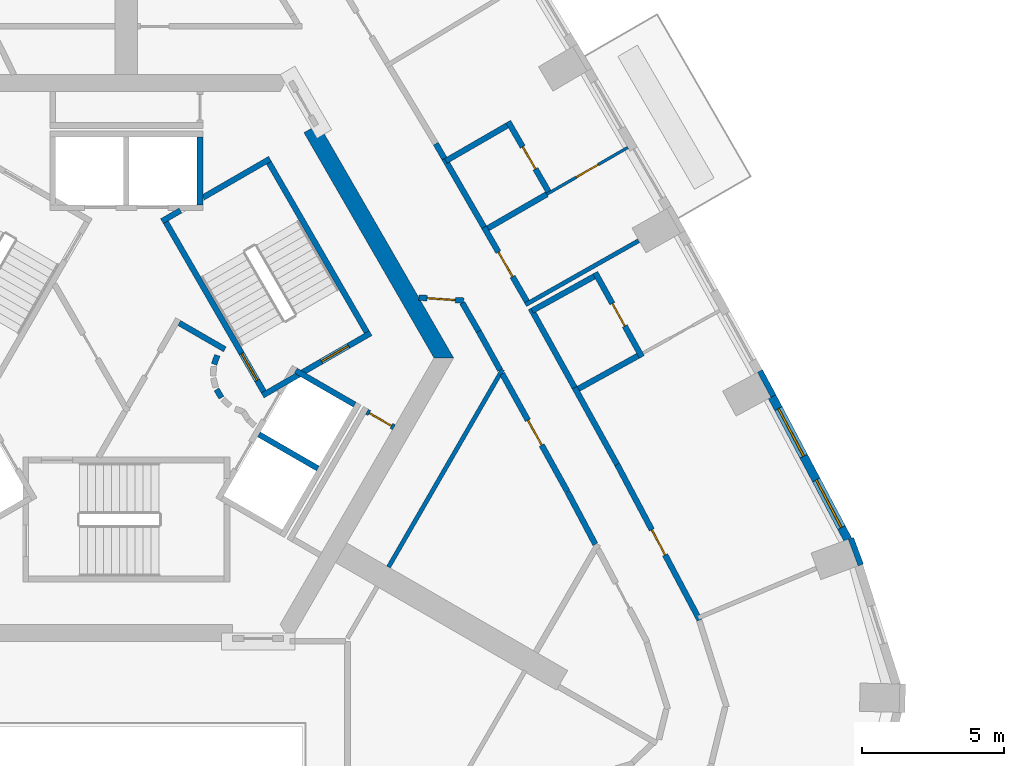
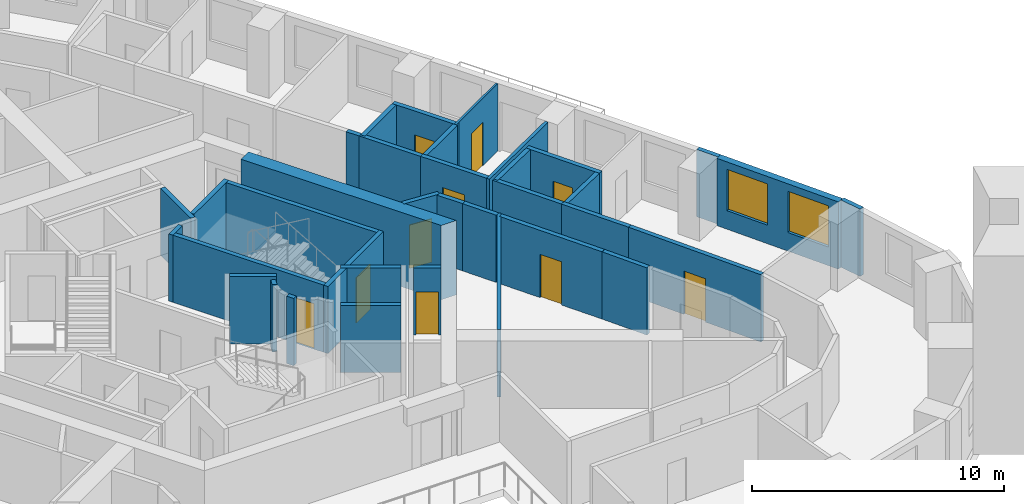
# One storey, part 7 of 13: 36 walls, 10 doors, 2 windows, 12 openings.
"""IFC4 building model written with IfcOpenShell, lengths in metres."""

from ifc_helpers import new_model, si_unit, direction, frame, frame_2d, origin, place, context, subcontext, project, spatial, polyline, rectangle, outline, extrude, material, layer, layer_set, type_object, element, fill, save


model = new_model("IFC4")

# Units and contexts
model_context = context("Model", 3, precision=1e-05, world=origin(), true_north=direction((0.0, 1.0)))
body_context = subcontext(model_context, "Body", "Model", "MODEL_VIEW")
ifc_project = project(units=[si_unit("LENGTHUNIT", "METRE"), si_unit("AREAUNIT", "SQUARE_METRE"), si_unit("VOLUMEUNIT", "CUBIC_METRE"), si_unit("PLANEANGLEUNIT", "RADIAN"), si_unit("MASSUNIT", "GRAM", prefix="KILO")], contexts=[model_context])

# Site, building, storey
site_placement = place(None, origin())
site = spatial("IfcSite", under=ifc_project, at=site_placement, CompositionType="ELEMENT")
building_placement = place(site_placement, origin())
building = spatial("IfcBuilding", under=site, at=building_placement, Name="Entoto Arch Interchange Tower", CompositionType="ELEMENT")
storey_placement = place(building_placement, frame((0.0, 0.0, 263.0)))
storey = spatial("IfcBuildingStorey", under=building, at=storey_placement, Name="L60", CompositionType="ELEMENT", Elevation=263.0)

# Walls
ifc_material_1 = material(Name="Concrete C40/50", Category="concrete")
ifc_layer_1 = layer(ifc_material_1, 0.60009765625)
ifc_layer_set_1 = layer_set([ifc_layer_1], Name="Concrete C40/50")
wall_type_1 = type_object("IfcWallType", Name="Core wall 600 C40/50", PredefinedType="SHEAR", material=ifc_layer_set_1)
wall_1_placement = place(storey_placement, frame((0.0, 0.0, -0.340087890625)))
element("IfcWall", 1, at=wall_1_placement, inside=storey, type_object=wall_type_1, Name="Core wall NE L60", PredefinedType="SHEAR", context=body_context, shape_type="SweptSolid", body=[
    extrude(outline(polyline([(6.785888671875, 10.7470703125), (6.26611328125, 10.447021484375), (10.85400390625, 2.5), (11.547119140625, 2.5), (6.785888671875, 10.7470703125)])), origin(), (0.0, 0.0, 1.0), 3.60009765625),
])
ifc_layer_2 = layer(ifc_material_1, 0.199951171875)
ifc_layer_set_2 = layer_set([ifc_layer_2], Name="Concrete C40/50")
wall_type_2 = type_object("IfcWallType", Name="LIFT SHAFT WALL 200", PredefinedType="STANDARD", material=ifc_layer_set_2)
wall_2_placement = place(storey_placement, frame((2.60009765625, 7.89990234375, 0.0), z_axis=(0.0, 0.0, 1.0), x_axis=(0.0, 1.0, 0.0)))
element("IfcWall", 2, at=wall_2_placement, inside=storey, type_object=wall_type_2, Name="Shaft wall N1 cross 1", PredefinedType="STANDARD", context=body_context, shape_type="SweptSolid", body=[
    extrude(rectangle(XDim=2.400146484375, YDim=0.199951171875, at=frame_2d((1.2001953125, 0.0))), origin(), (0.0, 0.0, 1.0), 3.260009765625),
])
for number, where, z_axis, x_axis, name in (
    (3, (4.677001953125, -0.199951171875, 0.0), (0.0, 0.0, 1.0), (0.865973769406, -0.500089422704, 0.0), "Shaft wall SE1 cross 2"),
    (4, (5.97705078125, 2.052001953125, 0.0), (0.0, 0.0, 1.0), (0.865973769406, -0.500089422704, 0.0), "Shaft wall SE1 cross 3"),
):
    element("IfcWall", number, at=place(storey_placement, frame(where, z_axis=z_axis, x_axis=x_axis)), inside=storey, type_object=wall_type_2, Name=name, PredefinedType="STANDARD", context=body_context, shape_type="SweptSolid", body=[
        extrude(rectangle(XDim=2.3994140625, YDim=0.199951171875, at=frame_2d((1.19970703125, 0.0))), origin(), (0.0, 0.0, 1.0), 3.260009765625),
    ])

# Wall, opening, door
ifc_material_2 = material(Name="Gypsum board partition on steel studs", Category="steel")
ifc_layer_3 = layer(ifc_material_2, 0.10009765625)
ifc_layer_set_3 = layer_set([ifc_layer_3], Name="Gypsum board partition on steel studs")
wall_type_3 = type_object("IfcWallType", Name="PARTITION 100", PredefinedType="PARTITIONING", material=ifc_layer_set_3)
wall_3_placement = place(storey_placement, frame((14.8349609375, 8.27490234375, 0.0), z_axis=(0.0, 0.0, 1.0), x_axis=(0.8660266723, 0.49999780286, 0.0)))
wall_3 = element("IfcWall", 5, at=wall_3_placement, inside=storey, type_object=wall_type_3, Name="wall:L60:p118", PredefinedType="PARTITIONING", context=body_context, shape_type="SweptSolid", body=[
    extrude(rectangle(XDim=3.30029296875, YDim=0.10009765625, at=frame_2d((1.650146484375, 0.0))), origin(), (0.0, 0.0, 1.0), 3.260009765625),
])
opening_1_placement = place(wall_3_placement, frame((1.199951171875, 0.0, 0.0)))
opening_1 = element("IfcOpeningElement", 6, at=opening_1_placement, cuts=wall_3, Name="Opening L60-D05", PredefinedType="OPENING", context=body_context, shape_type="SweptSolid", body=[
    extrude(rectangle(XDim=0.89990234375, YDim=2.10009765625, at=frame_2d((0.449951171875, 1.050048828125))), frame((0.0, 0.06005859375, 0.0), z_axis=(0.0, -1.0, 0.0), x_axis=(1.0, 0.0, 0.0)), (0.0, 0.0, 1.0), 0.1201171875),
])
ifc_material_3 = material(Name="Timber door leaf in Steel S235 frame", Category="steel")
door_type_1 = type_object("IfcDoorType", Name="DOOR DS-09 900x2100", OperationType="SINGLE_SWING_LEFT", PredefinedType="DOOR", material=ifc_material_3)
door_1_placement = place(opening_1_placement, origin())
door_1 = element("IfcDoor", 7, at=door_1_placement, inside=storey, type_object=door_type_1, Name="door:L60:05", OperationType="SINGLE_SWING_RIGHT", OverallHeight=2.10009765625, OverallWidth=0.89990234375, PredefinedType="DOOR", context=body_context, shape_type="SweptSolid", body=[
    extrude(rectangle(XDim=0.89990234375, YDim=2.10009765625, at=frame_2d((0.449951171875, 1.050048828125))), frame((0.0, 0.02490234375, 0.0), z_axis=(0.0, -1.0, 0.0), x_axis=(1.0, 0.0, 0.0)), (0.0, 0.0, 1.0), 0.050048828125),
])
fill(opening_1, door_1)

# Walls
ifc_layer_4 = layer(ifc_material_2, 0.14990234375)
ifc_layer_set_4 = layer_set([ifc_layer_4], Name="Gypsum board partition on steel studs")
wall_type_4 = type_object("IfcWallType", Name="PARTITION 150", PredefinedType="PARTITIONING", material=ifc_layer_set_4)
wall_4_placement = place(storey_placement, frame((14.0830078125, 4.376953125, 0.0), z_axis=(0.0, 0.0, 1.0), x_axis=(0.870415885751, 0.492317159799, 0.0)))
element("IfcWall", 8, at=wall_4_placement, inside=storey, type_object=wall_type_4, Name="wall:L60:p117", PredefinedType="PARTITIONING", context=body_context, shape_type="SweptSolid", body=[
    extrude(rectangle(XDim=4.58056640625, YDim=0.14990234375, at=frame_2d((2.290283203125, 0.0))), origin(), (0.0, 0.0, 1.0), 3.260009765625),
])
wall_5_placement = place(storey_placement, frame((9.25, -4.8779296875, 0.0), z_axis=(0.0, 0.0, 1.0), x_axis=(0.499982416899, 0.866035555154, 0.0)))
element("IfcWall", 9, at=wall_5_placement, inside=storey, type_object=wall_type_4, Name="wall:L60:p085", PredefinedType="PARTITIONING", context=body_context, shape_type="SweptSolid", body=[
    extrude(rectangle(XDim=8.048095703125, YDim=0.14990234375, at=frame_2d((4.02392578125, 0.0))), origin(), (0.0, 0.0, 1.0), 3.260009765625),
])
ifc_layer_5 = layer(ifc_material_2, 0.199951171875)
ifc_layer_set_5 = layer_set([ifc_layer_5], Name="Gypsum board partition on steel studs")
wall_type_5 = type_object("IfcWallType", Name="PARTITION 200", PredefinedType="PARTITIONING", material=ifc_layer_set_5)
wall_6_placement = place(storey_placement, frame((13.18798828125, 2.071044921875, 0.0), z_axis=(0.0, 0.0, 1.0), x_axis=(-0.484398936474, 0.874847226859, 0.0)))
element("IfcWall", 10, at=wall_6_placement, inside=storey, type_object=wall_type_5, Name="wall:L60:p006", PredefinedType="PARTITIONING", context=body_context, shape_type="SweptSolid", body=[
    extrude(rectangle(XDim=1.56689453125, YDim=0.199951171875, at=frame_2d((0.783447265625, 0.0))), origin(), (0.0, 0.0, 1.0), 3.260009765625),
])
wall_7_placement = place(storey_placement, frame((12.428955078125, 3.44189453125, 0.0), z_axis=(0.0, 0.0, 1.0), x_axis=(-0.500076612374, 0.865981167091, 0.0)))
element("IfcWall", 11, at=wall_7_placement, inside=storey, type_object=wall_type_5, Name="wall:L60:p007", PredefinedType="PARTITIONING", context=body_context, shape_type="SweptSolid", body=[
    extrude(rectangle(XDim=1.153564453125, YDim=0.199951171875, at=frame_2d((0.57666015625, 0.0))), origin(), (0.0, 0.0, 1.0), 3.260009765625),
])

# Wall, opening, door
wall_8_placement = place(storey_placement, frame((11.902099609375, 4.52099609375, 0.0), z_axis=(0.0, 0.0, 1.0), x_axis=(-0.997726217037, 0.067397298437, 0.0)))
wall_8 = element("IfcWall", 12, at=wall_8_placement, inside=storey, type_object=wall_type_5, Name="wall:L60:p008", PredefinedType="PARTITIONING", context=body_context, shape_type="SweptSolid", body=[
    extrude(rectangle(XDim=1.586669921875, YDim=0.199951171875, at=frame_2d((0.79345703125, 0.0))), origin(), (0.0, 0.0, 1.0), 3.260009765625),
])
opening_2_placement = place(wall_8_placement, frame((0.29296875, 0.0, 0.0)))
opening_2 = element("IfcOpeningElement", 13, at=opening_2_placement, cuts=wall_8, Name="Opening L60-D34", PredefinedType="OPENING", context=body_context, shape_type="SweptSolid", body=[
    extrude(rectangle(XDim=1.0, YDim=2.10009765625, at=frame_2d((0.5, 1.050048828125))), frame((0.0, 0.10986328125, 0.0), z_axis=(0.0, -1.0, 0.0), x_axis=(1.0, 0.0, 0.0)), (0.0, 0.0, 1.0), 0.219970703125),
])
door_type_2 = type_object("IfcDoorType", Name="DOOR DS-10 1000x2100", OperationType="SINGLE_SWING_LEFT", PredefinedType="DOOR", material=ifc_material_3)
door_2_placement = place(opening_2_placement, origin())
door_2 = element("IfcDoor", 14, at=door_2_placement, inside=storey, type_object=door_type_2, Name="door:L60:34", OperationType="SINGLE_SWING_LEFT", OverallHeight=2.10009765625, OverallWidth=1.0, PredefinedType="DOOR", context=body_context, shape_type="SweptSolid", body=[
    extrude(rectangle(XDim=1.0, YDim=2.10009765625, at=frame_2d((0.5, 1.050048828125))), frame((0.0, 0.02490234375, 0.0), z_axis=(0.0, -1.0, 0.0), x_axis=(1.0, 0.0, 0.0)), (0.0, 0.0, 1.0), 0.050048828125),
])
fill(opening_2, door_2)

# Wall
wall_9_placement = place(storey_placement, frame((16.544921875, -4.073974609375, 0.0), z_axis=(0.0, 0.0, 1.0), x_axis=(-0.468321873419, 0.883557934081, 0.0)))
element("IfcWall", 15, at=wall_9_placement, inside=storey, type_object=wall_type_5, Name="wall:L60:p021", PredefinedType="PARTITIONING", context=body_context, shape_type="SweptSolid", body=[
    extrude(rectangle(XDim=2.092529296875, YDim=0.199951171875, at=frame_2d((1.04638671875, 0.0))), origin(), (0.0, 0.0, 1.0), 3.260009765625),
])

# Wall, opening, door
wall_10_placement = place(storey_placement, frame((15.56005859375, -2.214111328125, 0.0), z_axis=(0.0, 0.0, 1.0), x_axis=(-0.484323615817, 0.874888927329, 0.0)))
wall_10 = element("IfcWall", 16, at=wall_10_placement, inside=storey, type_object=wall_type_5, Name="wall:L60:p022", PredefinedType="PARTITIONING", context=body_context, shape_type="SweptSolid", body=[
    extrude(rectangle(XDim=4.7470703125, YDim=0.199951171875, at=frame_2d((2.37353515625, 0.0))), origin(), (0.0, 0.0, 1.0), 3.260009765625),
])
opening_3_placement = place(wall_10_placement, frame((1.8740234375, 0.0, 0.0)))
opening_3 = element("IfcOpeningElement", 17, at=opening_3_placement, cuts=wall_10, Name="Opening L60-D24", PredefinedType="OPENING", context=body_context, shape_type="SweptSolid", body=[
    extrude(rectangle(XDim=1.0, YDim=2.10009765625, at=frame_2d((0.5, 1.050048828125))), frame((0.0, 0.10986328125, 0.0), z_axis=(0.0, -1.0, 0.0), x_axis=(1.0, 0.0, 0.0)), (0.0, 0.0, 1.0), 0.219970703125),
])
door_3_placement = place(opening_3_placement, origin())
door_3 = element("IfcDoor", 18, at=door_3_placement, inside=storey, type_object=door_type_2, Name="door:L60:24", OperationType="SINGLE_SWING_LEFT", OverallHeight=2.10009765625, OverallWidth=1.0, PredefinedType="DOOR", context=body_context, shape_type="SweptSolid", body=[
    extrude(rectangle(XDim=1.0, YDim=2.10009765625, at=frame_2d((0.5, 1.050048828125))), frame((0.0, 0.02490234375, 0.0), z_axis=(0.0, -1.0, 0.0), x_axis=(1.0, 0.0, 0.0)), (0.0, 0.0, 1.0), 0.050048828125),
])
fill(opening_3, door_3)

# Wall
wall_11_placement = place(storey_placement, frame((15.81689453125, 1.450927734375, 0.0), z_axis=(0.0, 0.0, 1.0), x_axis=(0.48417811398, -0.874969458863, 0.0)))
element("IfcWall", 19, at=wall_11_placement, inside=storey, type_object=wall_type_5, Name="wall:L60:p043", PredefinedType="PARTITIONING", context=body_context, shape_type="SweptSolid", body=[
    extrude(rectangle(XDim=3.1005859375, YDim=0.199951171875, at=frame_2d((1.55029296875, 0.0))), origin(), (0.0, 0.0, 1.0), 3.260009765625),
])

# Wall, opening, door
wall_12_placement = place(storey_placement, frame((17.318115234375, -1.261962890625, 0.0), z_axis=(0.0, 0.0, 1.0), x_axis=(0.468313568794, -0.883562335822, 0.0)))
wall_12 = element("IfcWall", 20, at=wall_12_placement, inside=storey, type_object=wall_type_5, Name="wall:L60:p044", PredefinedType="PARTITIONING", context=body_context, shape_type="SweptSolid", body=[
    extrude(rectangle(XDim=6.215576171875, YDim=0.199951171875, at=frame_2d((3.10791015625, 0.0))), origin(), (0.0, 0.0, 1.0), 3.260009765625),
])
opening_4_placement = place(wall_12_placement, frame((2.60791015625, 0.0, 0.0)))
opening_4 = element("IfcOpeningElement", 21, at=opening_4_placement, cuts=wall_12, Name="Opening L60-D01", PredefinedType="OPENING", context=body_context, shape_type="SweptSolid", body=[
    extrude(rectangle(XDim=1.0, YDim=2.10009765625, at=frame_2d((0.5, 1.050048828125))), frame((0.0, 0.10986328125, 0.0), z_axis=(0.0, -1.0, 0.0), x_axis=(1.0, 0.0, 0.0)), (0.0, 0.0, 1.0), 0.219970703125),
])
ifc_material_4 = material(Name="Fire-rated Steel S235 door and frame", Category="steel")
door_type_3 = type_object("IfcDoorType", Name="DOOR FD-10 1000x2100", OperationType="SINGLE_SWING_LEFT", PredefinedType="DOOR", material=ifc_material_4)
door_4_placement = place(opening_4_placement, origin())
door_4 = element("IfcDoor", 22, at=door_4_placement, inside=storey, type_object=door_type_3, Name="door:L60:01", OperationType="SINGLE_SWING_LEFT", OverallHeight=2.10009765625, OverallWidth=1.0, PredefinedType="DOOR", context=body_context, shape_type="SweptSolid", body=[
    extrude(rectangle(XDim=1.0, YDim=2.10009765625, at=frame_2d((0.5, 1.050048828125))), frame((0.0, 0.02490234375, 0.0), z_axis=(0.0, -1.0, 0.0), x_axis=(1.0, 0.0, 0.0)), (0.0, 0.0, 1.0), 0.050048828125),
])
fill(opening_4, door_4)

# Wall
wall_13_placement = place(storey_placement, frame((14.26708984375, 4.25, 0.0), z_axis=(0.0, 0.0, 1.0), x_axis=(0.4843920198, -0.874851056554, 0.0)))
element("IfcWall", 23, at=wall_13_placement, inside=storey, type_object=wall_type_5, Name="wall:L60:p045", PredefinedType="PARTITIONING", context=body_context, shape_type="SweptSolid", body=[
    extrude(rectangle(XDim=3.199462890625, YDim=0.199951171875, at=frame_2d((1.599609375, 0.0))), origin(), (0.0, 0.0, 1.0), 3.260009765625),
])

# Wall, opening, door
wall_14_placement = place(storey_placement, frame((12.6201171875, 7.111083984375, 0.0), z_axis=(0.0, 0.0, 1.0), x_axis=(0.499950733426, -0.866053845986, 0.0)))
wall_14 = element("IfcWall", 24, at=wall_14_placement, inside=storey, type_object=wall_type_5, Name="wall:L60:p046", PredefinedType="PARTITIONING", context=body_context, shape_type="SweptSolid", body=[
    extrude(rectangle(XDim=3.024169921875, YDim=0.199951171875, at=frame_2d((1.51220703125, 0.0))), origin(), (0.0, 0.0, 1.0), 3.260009765625),
])
opening_5_placement = place(wall_14_placement, frame((1.012939453125, 0.0, 0.0)))
opening_5 = element("IfcOpeningElement", 25, at=opening_5_placement, cuts=wall_14, Name="Opening L60-D04", PredefinedType="OPENING", context=body_context, shape_type="SweptSolid", body=[
    extrude(rectangle(XDim=1.0, YDim=2.10009765625, at=frame_2d((0.5, 1.050048828125))), frame((0.0, 0.10986328125, 0.0), z_axis=(0.0, -1.0, 0.0), x_axis=(1.0, 0.0, 0.0)), (0.0, 0.0, 1.0), 0.219970703125),
])
door_5_placement = place(opening_5_placement, origin())
door_5 = element("IfcDoor", 26, at=door_5_placement, inside=storey, type_object=door_type_3, Name="door:L60:04", OperationType="SINGLE_SWING_LEFT", OverallHeight=2.10009765625, OverallWidth=1.0, PredefinedType="DOOR", context=body_context, shape_type="SweptSolid", body=[
    extrude(rectangle(XDim=1.0, YDim=2.10009765625, at=frame_2d((0.5, 1.050048828125))), frame((0.0, 0.02490234375, 0.0), z_axis=(0.0, -1.0, 0.0), x_axis=(1.0, 0.0, 0.0)), (0.0, 0.0, 1.0), 0.050048828125),
])
fill(opening_5, door_5)

# Walls
wall_15_placement = place(storey_placement, frame((10.9189453125, 10.056884765625, 0.0), z_axis=(0.0, 0.0, 1.0), x_axis=(0.500284357783, -0.865861167485, 0.0)))
element("IfcWall", 27, at=wall_15_placement, inside=storey, type_object=wall_type_5, Name="wall:L60:p048", PredefinedType="PARTITIONING", context=body_context, shape_type="SweptSolid", body=[
    extrude(rectangle(XDim=0.601806640625, YDim=0.199951171875, at=frame_2d((0.30078125, 0.0))), origin(), (0.0, 0.0, 1.0), 3.260009765625),
])
wall_16_placement = place(storey_placement, frame((11.219970703125, 9.535888671875, 0.0), z_axis=(0.0, 0.0, 1.0), x_axis=(0.500049511043, -0.865996816683, 0.0)))
element("IfcWall", 28, at=wall_16_placement, inside=storey, type_object=wall_type_5, Name="wall:L60:p049", PredefinedType="PARTITIONING", context=body_context, shape_type="SweptSolid", body=[
    extrude(rectangle(XDim=2.800048828125, YDim=0.199951171875, at=frame_2d((1.39990234375, 0.0))), origin(), (0.0, 0.0, 1.0), 3.260009765625),
])

# Wall, opening, door
wall_17_placement = place(storey_placement, frame((8.488037109375, 0.60205078125, 0.0), z_axis=(0.0, 0.0, 1.0), x_axis=(0.866063652425, -0.499933745558, 0.0)))
wall_17 = element("IfcWall", 29, at=wall_17_placement, inside=storey, type_object=wall_type_5, Name="wall:L60:p076", PredefinedType="PARTITIONING", context=body_context, shape_type="SweptSolid", body=[
    extrude(rectangle(XDim=1.100341796875, YDim=0.199951171875, at=frame_2d((0.55029296875, 0.0))), origin(), (0.0, 0.0, 1.0), 3.260009765625),
])
opening_6_placement = place(wall_17_placement, frame((0.10009765625, 0.0, 0.0)))
opening_6 = element("IfcOpeningElement", 30, at=opening_6_placement, cuts=wall_17, Name="Opening L60-D38", PredefinedType="OPENING", context=body_context, shape_type="SweptSolid", body=[
    extrude(rectangle(XDim=0.89990234375, YDim=2.10009765625, at=frame_2d((0.449951171875, 1.050048828125))), frame((0.0, 0.10986328125, 0.0), z_axis=(0.0, -1.0, 0.0), x_axis=(1.0, 0.0, 0.0)), (0.0, 0.0, 1.0), 0.219970703125),
])
door_6_placement = place(opening_6_placement, origin())
door_6 = element("IfcDoor", 31, at=door_6_placement, inside=storey, type_object=door_type_1, Name="door:L60:38", OperationType="SINGLE_SWING_RIGHT", OverallHeight=2.10009765625, OverallWidth=0.89990234375, PredefinedType="DOOR", context=body_context, shape_type="SweptSolid", body=[
    extrude(rectangle(XDim=0.89990234375, YDim=2.10009765625, at=frame_2d((0.449951171875, 1.050048828125))), frame((0.0, 0.02490234375, 0.0), z_axis=(0.0, -1.0, 0.0), x_axis=(1.0, 0.0, 0.0)), (0.0, 0.0, 1.0), 0.050048828125),
])
fill(opening_6, door_6)

# Walls
wall_18_placement = place(storey_placement, frame((1.865966796875, 3.73193359375, 0.0), z_axis=(0.0, 0.0, 1.0), x_axis=(0.866043361281, -0.499968895414, 0.0)))
element("IfcWall", 32, at=wall_18_placement, inside=storey, type_object=wall_type_5, Name="wall:L60:p088", PredefinedType="PARTITIONING", context=body_context, shape_type="SweptSolid", body=[
    extrude(rectangle(XDim=1.85791015625, YDim=0.199951171875, at=frame_2d((0.928955078125, 0.0))), origin(), (0.0, 0.0, 1.0), 3.260009765625),
])
wall_19_placement = place(storey_placement, frame((3.2080078125, 2.592041015625, 0.0), z_axis=(0.0, 0.0, 1.0), x_axis=(-0.337388820924, -0.941365382578, 0.0)))
element("IfcWall", 33, at=wall_19_placement, inside=storey, type_object=wall_type_5, Name="wall:L60:p089", PredefinedType="PARTITIONING", context=body_context, shape_type="SweptSolid", body=[
    extrude(rectangle(XDim=0.337890625, YDim=0.199951171875, at=frame_2d((0.1689453125, 0.0))), origin(), (0.0, 0.0, 1.0), 3.260009765625),
])
wall_20_placement = place(storey_placement, frame((3.181884765625, 1.387939453125, 0.0), z_axis=(0.0, 0.0, 1.0), x_axis=(0.512474702713, -0.85870232274, 0.0)))
element("IfcWall", 34, at=wall_20_placement, inside=storey, type_object=wall_type_5, Name="wall:L60:p092", PredefinedType="PARTITIONING", context=body_context, shape_type="SweptSolid", body=[
    extrude(rectangle(XDim=0.337646484375, YDim=0.199951171875, at=frame_2d((0.1689453125, 0.0))), origin(), (0.0, 0.0, 1.0), 3.260009765625),
])
wall_21_placement = place(storey_placement, frame((15.952880859375, 1.412109375, 0.0), z_axis=(0.0, 0.0, 1.0), x_axis=(0.875014790305, 0.484096185429, 0.0)))
element("IfcWall", 35, at=wall_21_placement, inside=storey, type_object=wall_type_5, Name="wall:L60:p114", PredefinedType="PARTITIONING", context=body_context, shape_type="SweptSolid", body=[
    extrude(rectangle(XDim=2.400146484375, YDim=0.199951171875, at=frame_2d((1.2001953125, 0.0))), origin(), (0.0, 0.0, 1.0), 3.260009765625),
])

# Wall, opening, door
wall_22_placement = place(storey_placement, frame((18.18896484375, 2.534912109375, 0.0), z_axis=(0.0, 0.0, 1.0), x_axis=(-0.484447408253, 0.874820386501, 0.0)))
wall_22 = element("IfcWall", 36, at=wall_22_placement, inside=storey, type_object=wall_type_5, Name="wall:L60:p115", PredefinedType="PARTITIONING", context=body_context, shape_type="SweptSolid", body=[
    extrude(rectangle(XDim=3.399658203125, YDim=0.199951171875, at=frame_2d((1.69970703125, 0.0))), origin(), (0.0, 0.0, 1.0), 3.260009765625),
])
opening_7_placement = place(wall_22_placement, frame((1.25, 0.0, 0.0)))
opening_7 = element("IfcOpeningElement", 37, at=opening_7_placement, cuts=wall_22, Name="Opening L60-D03", PredefinedType="OPENING", context=body_context, shape_type="SweptSolid", body=[
    extrude(rectangle(XDim=0.89990234375, YDim=2.10009765625, at=frame_2d((0.449951171875, 1.050048828125))), frame((0.0, 0.10986328125, 0.0), z_axis=(0.0, -1.0, 0.0), x_axis=(1.0, 0.0, 0.0)), (0.0, 0.0, 1.0), 0.219970703125),
])
door_7_placement = place(opening_7_placement, origin())
door_7 = element("IfcDoor", 38, at=door_7_placement, inside=storey, type_object=door_type_1, Name="door:L60:03", OperationType="SINGLE_SWING_LEFT", OverallHeight=2.10009765625, OverallWidth=0.89990234375, PredefinedType="DOOR", context=body_context, shape_type="SweptSolid", body=[
    extrude(rectangle(XDim=0.89990234375, YDim=2.10009765625, at=frame_2d((0.449951171875, 1.050048828125))), frame((0.0, 0.02490234375, 0.0), z_axis=(0.0, -1.0, 0.0), x_axis=(1.0, 0.0, 0.0)), (0.0, 0.0, 1.0), 0.050048828125),
])
fill(opening_7, door_7)

# Walls
wall_23_placement = place(storey_placement, frame((16.5029296875, 5.3740234375, 0.0), z_axis=(0.0, 0.0, 1.0), x_axis=(-0.874847389013, -0.484398643615, 0.0)))
element("IfcWall", 39, at=wall_23_placement, inside=storey, type_object=wall_type_5, Name="wall:L60:p116", PredefinedType="PARTITIONING", context=body_context, shape_type="SweptSolid", body=[
    extrude(rectangle(XDim=2.5, YDim=0.199951171875, at=frame_2d((1.25, 0.0))), origin(), (0.0, 0.0, 1.0), 3.260009765625),
])
wall_24_placement = place(storey_placement, frame((12.756103515625, 7.074951171875, 0.0), z_axis=(0.0, 0.0, 1.0), x_axis=(0.866075499611, 0.499913221443, 0.0)))
element("IfcWall", 40, at=wall_24_placement, inside=storey, type_object=wall_type_5, Name="wall:L60:p119", PredefinedType="PARTITIONING", context=body_context, shape_type="SweptSolid", body=[
    extrude(rectangle(XDim=2.400390625, YDim=0.199951171875, at=frame_2d((1.2001953125, 0.0))), origin(), (0.0, 0.0, 1.0), 3.260009765625),
])

# Wall, opening, door
wall_25_placement = place(storey_placement, frame((14.946044921875, 8.281005859375, 0.0), z_axis=(0.0, 0.0, 1.0), x_axis=(-0.500001826776, 0.866024349092, 0.0)))
wall_25 = element("IfcWall", 41, at=wall_25_placement, inside=storey, type_object=wall_type_5, Name="wall:L60:p120", PredefinedType="PARTITIONING", context=body_context, shape_type="SweptSolid", body=[
    extrude(rectangle(XDim=2.9501953125, YDim=0.199951171875, at=frame_2d((1.47509765625, 0.0))), origin(), (0.0, 0.0, 1.0), 3.260009765625),
])
opening_8_placement = place(wall_25_placement, frame((1.02490234375, 0.0, 0.0)))
opening_8 = element("IfcOpeningElement", 42, at=opening_8_placement, cuts=wall_25, Name="Opening L60-D06", PredefinedType="OPENING", context=body_context, shape_type="SweptSolid", body=[
    extrude(rectangle(XDim=0.89990234375, YDim=2.10009765625, at=frame_2d((0.449951171875, 1.050048828125))), frame((0.0, 0.10986328125, 0.0), z_axis=(0.0, -1.0, 0.0), x_axis=(1.0, 0.0, 0.0)), (0.0, 0.0, 1.0), 0.219970703125),
])
door_8_placement = place(opening_8_placement, origin())
door_8 = element("IfcDoor", 43, at=door_8_placement, inside=storey, type_object=door_type_1, Name="door:L60:06", OperationType="SINGLE_SWING_LEFT", OverallHeight=2.10009765625, OverallWidth=0.89990234375, PredefinedType="DOOR", context=body_context, shape_type="SweptSolid", body=[
    extrude(rectangle(XDim=0.89990234375, YDim=2.10009765625, at=frame_2d((0.449951171875, 1.050048828125))), frame((0.0, 0.02490234375, 0.0), z_axis=(0.0, -1.0, 0.0), x_axis=(1.0, 0.0, 0.0)), (0.0, 0.0, 1.0), 0.050048828125),
])
fill(opening_8, door_8)

# Wall
wall_26_placement = place(storey_placement, frame((13.43505859375, 10.699951171875, 0.0), z_axis=(0.0, 0.0, 1.0), x_axis=(-0.866022959057, -0.500004234368, 0.0)))
element("IfcWall", 44, at=wall_26_placement, inside=storey, type_object=wall_type_5, Name="wall:L60:p121", PredefinedType="PARTITIONING", context=body_context, shape_type="SweptSolid", body=[
    extrude(rectangle(XDim=2.5, YDim=0.199951171875, at=frame_2d((1.25, 0.0))), origin(), (0.0, 0.0, 1.0), 3.260009765625),
])

# Wall, opening, door
ifc_layer_6 = layer(ifc_material_1, 0.199951171875)
ifc_layer_set_6 = layer_set([ifc_layer_6], Name="Concrete C40/50")
wall_type_6 = type_object("IfcWallType", Name="STAIR ENCLOSURE WALL 200", PredefinedType="STANDARD", material=ifc_layer_set_6)
wall_27_placement = place(storey_placement, frame((4.805908203125, 1.176025390625, 0.0), z_axis=(0.0, 0.0, 1.0), x_axis=(0.866059941101, 0.499940174841, 0.0)))
wall_27 = element("IfcWall", 45, at=wall_27_placement, inside=storey, type_object=wall_type_6, Name="Stair wall ST-NE near", PredefinedType="STANDARD", context=body_context, shape_type="SweptSolid", body=[
    extrude(rectangle(XDim=4.400390625, YDim=0.199951171875, at=frame_2d((2.2001953125, 0.0))), origin(), (0.0, 0.0, 1.0), 3.260009765625),
])
opening_9_placement = place(wall_27_placement, frame((2.39990234375, 0.0, 0.0)))
opening_9 = element("IfcOpeningElement", 46, at=opening_9_placement, cuts=wall_27, Name="Opening SD-ST-NE-L60-E", PredefinedType="OPENING", context=body_context, shape_type="SweptSolid", body=[
    extrude(rectangle(XDim=1.10009765625, YDim=2.199951171875, at=frame_2d((0.550048828125, 1.10009765625))), frame((0.0, 0.10986328125, 0.0), z_axis=(0.0, -1.0, 0.0), x_axis=(1.0, 0.0, 0.0)), (0.0, 0.0, 1.0), 0.219970703125),
])
ifc_material_5 = material(Name="Steel S235", Category="steel")
door_type_4 = type_object("IfcDoorType", Name="STAIR DOOR SD1 1100x2200", OperationType="SINGLE_SWING_LEFT", PredefinedType="DOOR", material=ifc_material_5)
door_9_placement = place(opening_9_placement, origin())
door_9 = element("IfcDoor", 47, at=door_9_placement, inside=storey, type_object=door_type_4, Name="Stair door ST-NE L60 end", OperationType="SINGLE_SWING_LEFT", OverallHeight=2.199951171875, OverallWidth=1.10009765625, PredefinedType="DOOR", context=body_context, shape_type="SweptSolid", body=[
    extrude(rectangle(XDim=1.10009765625, YDim=2.199951171875, at=frame_2d((0.550048828125, 1.10009765625))), frame((0.0, 0.02490234375, 0.0), z_axis=(0.0, -1.0, 0.0), x_axis=(1.0, 0.0, 0.0)), (0.0, 0.0, 1.0), 0.050048828125),
])
fill(opening_9, door_9)

# Walls
wall_28_placement = place(storey_placement, frame((2.699951171875, 8.157958984375, 0.0), z_axis=(0.0, 0.0, 1.0), x_axis=(0.86611865017, 0.499838457731, 0.0)))
element("IfcWall", 48, at=wall_28_placement, inside=storey, type_object=wall_type_6, Name="Stair wall ST-NE far", PredefinedType="STANDARD", context=body_context, shape_type="SweptSolid", body=[
    extrude(rectangle(XDim=2.73291015625, YDim=0.199951171875, at=frame_2d((1.366455078125, 0.0))), origin(), (0.0, 0.0, 1.0), 3.260009765625),
])
wall_29_placement = place(storey_placement, frame((1.256103515625, 7.323974609375, 0.0), z_axis=(0.0, 0.0, 1.0), x_axis=(0.865915093549, 0.500191014278, 0.0)))
element("IfcWall", 49, at=wall_29_placement, inside=storey, type_object=wall_type_6, Name="Stair wall ST-NE far return", PredefinedType="STANDARD", context=body_context, shape_type="SweptSolid", body=[
    extrude(rectangle(XDim=0.751708984375, YDim=0.199951171875, at=frame_2d((0.3759765625, 0.0))), origin(), (0.0, 0.0, 1.0), 3.260009765625),
])

# Wall, opening, door
wall_30_placement = place(storey_placement, frame((4.843017578125, 1.31201171875, 0.0), z_axis=(0.0, 0.0, 1.0), x_axis=(-0.499963383562, 0.866046543262, 0.0)))
wall_30 = element("IfcWall", 50, at=wall_30_placement, inside=storey, type_object=wall_type_6, Name="Stair wall ST-NE hall", PredefinedType="STANDARD", context=body_context, shape_type="SweptSolid", body=[
    extrude(rectangle(XDim=6.900390625, YDim=0.199951171875, at=frame_2d((3.4501953125, 0.0))), origin(), (0.0, 0.0, 1.0), 3.260009765625),
])
opening_10_placement = place(wall_30_placement, frame((0.449951171875, 0.0, 0.0)))
opening_10 = element("IfcOpeningElement", 51, at=opening_10_placement, cuts=wall_30, Name="Opening SD-ST-NE-L60", PredefinedType="OPENING", context=body_context, shape_type="SweptSolid", body=[
    extrude(rectangle(XDim=1.10009765625, YDim=2.199951171875, at=frame_2d((0.550048828125, 1.10009765625))), frame((0.0, 0.10986328125, 0.0), z_axis=(0.0, -1.0, 0.0), x_axis=(1.0, 0.0, 0.0)), (0.0, 0.0, 1.0), 0.219970703125),
])
door_10_placement = place(opening_10_placement, origin())
door_10 = element("IfcDoor", 52, at=door_10_placement, inside=storey, type_object=door_type_4, Name="Stair door ST-NE L60", OperationType="SINGLE_SWING_LEFT", OverallHeight=2.199951171875, OverallWidth=1.10009765625, PredefinedType="DOOR", context=body_context, shape_type="SweptSolid", body=[
    extrude(rectangle(XDim=1.10009765625, YDim=2.199951171875, at=frame_2d((0.550048828125, 1.10009765625))), frame((0.0, 0.02490234375, 0.0), z_axis=(0.0, -1.0, 0.0), x_axis=(1.0, 0.0, 0.0)), (0.0, 0.0, 1.0), 0.050048828125),
])
fill(opening_10, door_10)

# Wall
wall_31_placement = place(storey_placement, frame((8.47998046875, 3.412109375, 0.0), z_axis=(0.0, 0.0, 1.0), x_axis=(-0.499978703459, 0.866037698999, 0.0)))
element("IfcWall", 53, at=wall_31_placement, inside=storey, type_object=wall_type_6, Name="Stair wall ST-NE back", PredefinedType="STANDARD", context=body_context, shape_type="SweptSolid", body=[
    extrude(rectangle(XDim=6.900146484375, YDim=0.199951171875, at=frame_2d((3.4501953125, 0.0))), origin(), (0.0, 0.0, 1.0), 3.260009765625),
])

# Wall, openings, windows
ifc_material_6 = material(Name="Welded tuff (ignimbrite) cladding, warm buff", Category="masonry")
ifc_layer_7 = layer(ifc_material_6, 0.300048828125)
ifc_layer_set_7 = layer_set([ifc_layer_7], Name="Welded tuff (ignimbrite) cladding, warm buff")
wall_type_7 = type_object("IfcWallType", Name="STONE INFILL WALL 300", PredefinedType="STANDARD", material=ifc_layer_set_7)
wall_32_placement = place(storey_placement, frame((25.4541015625, -3.906982421875, 0.0), z_axis=(0.0, 0.0, 1.0), x_axis=(-0.468220106253, 0.883611867338, 0.0)))
wall_32 = element("IfcWall", 54, at=wall_32_placement, inside=storey, type_object=wall_type_7, Name="Facade wall NE-01 L60", PredefinedType="STANDARD", context=body_context, shape_type="SweptSolid", body=[
    extrude(rectangle(XDim=5.702880859375, YDim=0.300048828125, at=frame_2d((2.8515625, 0.0))), origin(), (0.0, 0.0, 1.0), 3.260009765625),
])
opening_11_placement = place(wall_32_placement, frame((0.47607421875, 0.0, 0.89990234375)))
opening_11 = element("IfcOpeningElement", 55, at=opening_11_placement, cuts=wall_32, Name="Opening WH-C", PredefinedType="OPENING", context=body_context, shape_type="SweptSolid", body=[
    extrude(rectangle(XDim=1.89990234375, YDim=2.0, at=frame_2d((0.949951171875, 1.0))), frame((0.0, 0.16015625, 0.0), z_axis=(0.0, -1.0, 0.0), x_axis=(1.0, 0.0, 0.0)), (0.0, 0.0, 1.0), 0.320068359375),
])
opening_12_placement = place(wall_32_placement, frame((3.326904296875, 0.0, 0.89990234375)))
opening_12 = element("IfcOpeningElement", 56, at=opening_12_placement, cuts=wall_32, Name="Opening WH-C", PredefinedType="OPENING", context=body_context, shape_type="SweptSolid", body=[
    extrude(rectangle(XDim=1.89990234375, YDim=2.0, at=frame_2d((0.949951171875, 1.0))), frame((0.0, 0.16015625, 0.0), z_axis=(0.0, -1.0, 0.0), x_axis=(1.0, 0.0, 0.0)), (0.0, 0.0, 1.0), 0.320068359375),
])
ifc_material_7 = material(Name="Clear glass, low-e double glazed", Category="glass")
window_type = type_object("IfcWindowType", Name="WINDOW WH-C 1900x2000", PartitioningType="DOUBLE_PANEL_VERTICAL", PredefinedType="WINDOW", material=ifc_material_7)
window_1_placement = place(opening_11_placement, origin())
window_1 = element("IfcWindow", 57, at=window_1_placement, inside=storey, type_object=window_type, Name="Window WH-C NE-01 L60", OverallHeight=2.0, OverallWidth=1.89990234375, PartitioningType="SINGLE_PANEL", PredefinedType="WINDOW", context=body_context, shape_type="SweptSolid", body=[
    extrude(rectangle(XDim=1.89990234375, YDim=2.0, at=frame_2d((0.949951171875, 1.0))), frame((0.0, 0.030029296875, 0.0), z_axis=(0.0, -1.0, 0.0), x_axis=(1.0, 0.0, 0.0)), (0.0, 0.0, 1.0), 0.06005859375),
])
fill(opening_11, window_1)
window_2_placement = place(opening_12_placement, origin())
window_2 = element("IfcWindow", 58, at=window_2_placement, inside=storey, type_object=window_type, Name="Window WH-C NE-01 L60", OverallHeight=2.0, OverallWidth=1.89990234375, PartitioningType="SINGLE_PANEL", PredefinedType="WINDOW", context=body_context, shape_type="SweptSolid", body=[
    extrude(rectangle(XDim=1.89990234375, YDim=2.0, at=frame_2d((0.949951171875, 1.0))), frame((0.0, 0.030029296875, 0.0), z_axis=(0.0, -1.0, 0.0), x_axis=(1.0, 0.0, 0.0)), (0.0, 0.0, 1.0), 0.06005859375),
])
fill(opening_12, window_2)

# Walls
ifc_layer_8 = layer(ifc_material_6, 0.199951171875)
ifc_layer_set_8 = layer_set([ifc_layer_8], Name="Welded tuff (ignimbrite) cladding, warm buff")
wall_type_8 = type_object("IfcWallType", Name="STONE PIER CLADDING 200", PredefinedType="STANDARD", material=ifc_layer_set_8)
wall_33_placement = place(storey_placement, frame((25.912109375, -4.802978515625, 0.0), z_axis=(0.0, 0.0, 1.0), x_axis=(-0.347107644204, 0.937825294677, 0.0)))
element("IfcWall", 59, at=wall_33_placement, inside=storey, type_object=wall_type_8, Name="Stone pier NE01 L60", PredefinedType="STANDARD", context=body_context, shape_type="SweptSolid", body=[
    extrude(rectangle(XDim=1.000244140625, YDim=0.199951171875, at=frame_2d((0.5, 0.0))), origin(), (0.0, 0.0, 1.0), 3.260009765625),
])
wall_34_placement = place(storey_placement, frame((22.8310546875, 1.156005859375, 0.0), z_axis=(0.0, 0.0, 1.0), x_axis=(-0.473852444207, 0.880604259085, 0.0)))
element("IfcWall", 60, at=wall_34_placement, inside=storey, type_object=wall_type_8, Name="Stone pier NE02 L60", PredefinedType="STANDARD", context=body_context, shape_type="SweptSolid", body=[
    extrude(rectangle(XDim=1.00048828125, YDim=0.199951171875, at=frame_2d((0.500244140625, 0.0))), origin(), (0.0, 0.0, 1.0), 3.260009765625),
])

save(model, "model.ifc")
